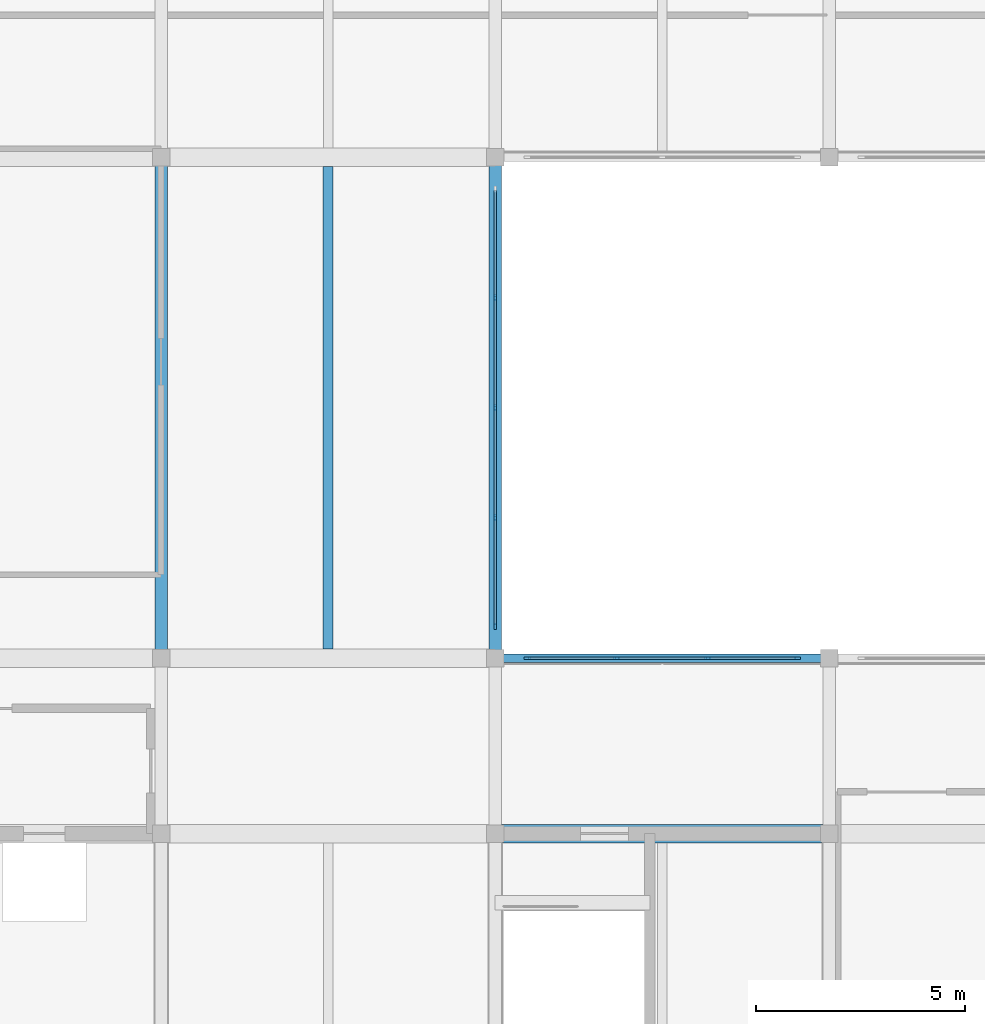
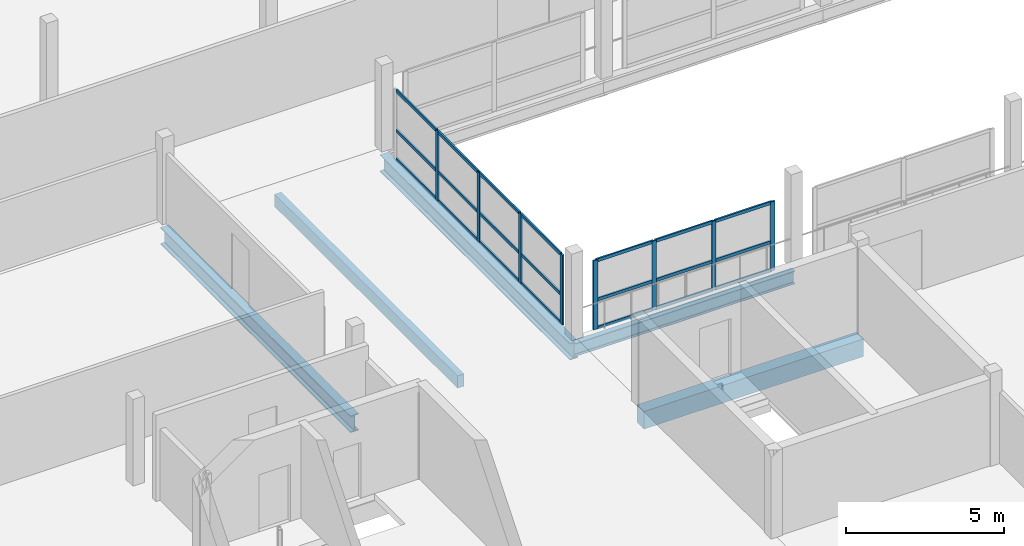
# One storey, part 19 of 51: 29 members, 5 beams, 2 elements without a shape of their own.
"""IFC4 building model written with IfcOpenShell, lengths in metres."""

from ifc_helpers import new_model, si_unit, direction, frame, origin, origin_2d, place, context, subcontext, project, spatial, rectangle, i_section, extrude, material, material_profile, profile_set, type_object, element, aggregate, save


model = new_model("IFC4")

# Units and contexts
model_context = context("Model", 3, precision=1e-05, world=origin(), true_north=direction((0.0, 1.0)))
body_context = subcontext(model_context, "Body", "Model", "MODEL_VIEW")
ifc_project = project(units=[si_unit("LENGTHUNIT", "METRE"), si_unit("AREAUNIT", "SQUARE_METRE"), si_unit("VOLUMEUNIT", "CUBIC_METRE"), si_unit("PLANEANGLEUNIT", "RADIAN"), si_unit("MASSUNIT", "GRAM", prefix="KILO")], contexts=[model_context])

# Site, building, storey
site_placement = place(None, origin())
site = spatial("IfcSite", under=ifc_project, at=site_placement, CompositionType="ELEMENT")
building_placement = place(site_placement, origin())
building = spatial("IfcBuilding", under=site, at=building_placement, Name="Vharandega Faculty of Natural Sciences", CompositionType="ELEMENT")
storey_placement = place(building_placement, frame((0.0, 0.0, 14.39990234375)))
storey = spatial("IfcBuildingStorey", under=building, at=storey_placement, Name="L03", CompositionType="ELEMENT", Elevation=14.39990234375)

# Curtain wall, members
ifc_material_1 = material(Name="Aluminium and solar-control glass curtain wall", Category="aluminium")
curtain_wall_type_1 = type_object("IfcCurtainWallType", Name="Unitised Curtain Wall System CW-18", PredefinedType="NOTDEFINED", material=ifc_material_1)
curtain_wall_1_placement = place(storey_placement, origin())
curtain_wall_1 = element("IfcCurtainWall", 1, at=curtain_wall_1_placement, inside=storey, type_object=curtain_wall_type_1, Name="Curtain Wall CW-L03-073", PredefinedType="NOTDEFINED")
ifc_material_2 = material(Name="Thermally broken aluminium 6063-T6", Category="aluminium")
ifc_material_profile_1 = material_profile(ifc_material_2, rectangle(XDim=0.06005859375, YDim=0.159912109375, at=origin_2d()), Name="ALU 60x160")
ifc_profile_set_1 = profile_set([ifc_material_profile_1], Name="Thermally broken aluminium 6063-T6")
member_type_1 = type_object("IfcMemberType", Name="CW Mullion 60x160", PredefinedType="MULLION", material=ifc_profile_set_1)
member_1_placement = place(storey_placement, frame((24.0, 85.77001953125, 0.0), z_axis=(0.0, 0.0, 1.0), x_axis=(-1.0, 0.0, 0.0)))
member_1 = element("IfcMember", 2, at=member_1_placement, type_object=member_type_1, Name="CW-18 mullion 1", PredefinedType="MULLION", context=body_context, shape_type="SweptSolid", body=[
    extrude(rectangle(XDim=0.06005859375, YDim=0.159912109375, at=origin_2d()), origin(), (0.0, 0.0, 1.0), 2.690185546875),
])
member_2_placement = place(storey_placement, frame((24.0, 88.3701171875, 0.0), z_axis=(0.0, 0.0, 1.0), x_axis=(-1.0, 0.0, 0.0)))
member_2 = element("IfcMember", 3, at=member_2_placement, type_object=member_type_1, Name="CW-18 mullion 2", PredefinedType="MULLION", context=body_context, shape_type="SweptSolid", body=[
    extrude(rectangle(XDim=0.06005859375, YDim=0.159912109375, at=origin_2d()), origin(), (0.0, 0.0, 1.0), 2.690185546875),
])
member_3_placement = place(storey_placement, frame((24.0, 91.0, 0.0), z_axis=(0.0, 0.0, 1.0), x_axis=(-1.0, 0.0, 0.0)))
member_3 = element("IfcMember", 4, at=member_3_placement, type_object=member_type_1, Name="CW-18 mullion 3", PredefinedType="MULLION", context=body_context, shape_type="SweptSolid", body=[
    extrude(rectangle(XDim=0.06005859375, YDim=0.159912109375, at=origin_2d()), origin(), (0.0, 0.0, 1.0), 2.690185546875),
])
member_4_placement = place(storey_placement, frame((24.0, 93.6298828125, 0.0), z_axis=(0.0, 0.0, 1.0), x_axis=(-1.0, 0.0, 0.0)))
member_4 = element("IfcMember", 5, at=member_4_placement, type_object=member_type_1, Name="CW-18 mullion 4", PredefinedType="MULLION", context=body_context, shape_type="SweptSolid", body=[
    extrude(rectangle(XDim=0.06005859375, YDim=0.159912109375, at=origin_2d()), origin(), (0.0, 0.0, 1.0), 2.690185546875),
])

ifc_material_3 = material(Name="Aluminium and solar-control glass curtain wall", Category="aluminium")
curtain_wall_type_2 = type_object("IfcCurtainWallType", Name="Unitised Curtain Wall System CW-11", PredefinedType="NOTDEFINED", material=ifc_material_3)
curtain_wall_2_placement = place(storey_placement, origin())
curtain_wall_2 = element("IfcCurtainWall", 6, at=curtain_wall_2_placement, inside=storey, type_object=curtain_wall_type_2, Name="Curtain Wall CW-L03-094", PredefinedType="NOTDEFINED")
member_5_placement = place(storey_placement, frame((24.77001953125, 85.0, 0.0), z_axis=(0.0, 0.0, 1.0), x_axis=(0.0, 1.0, 0.0)))
member_5 = element("IfcMember", 7, at=member_5_placement, type_object=member_type_1, Name="CW-11 mullion 1", PredefinedType="MULLION", context=body_context, shape_type="SweptSolid", body=[
    extrude(rectangle(XDim=0.06005859375, YDim=0.159912109375, at=origin_2d()), origin(), (0.0, 0.0, 1.0), 2.66015625),
])
member_6_placement = place(storey_placement, frame((26.913330078125, 85.0, 0.0), z_axis=(0.0, 0.0, 1.0), x_axis=(0.0, 1.0, 0.0)))
member_6 = element("IfcMember", 8, at=member_6_placement, type_object=member_type_1, Name="CW-11 mullion 2", PredefinedType="MULLION", context=body_context, shape_type="SweptSolid", body=[
    extrude(rectangle(XDim=0.06005859375, YDim=0.159912109375, at=origin_2d()), origin(), (0.0, 0.0, 1.0), 2.66015625),
])
member_7_placement = place(storey_placement, frame((29.086669921875, 85.0, 0.0), z_axis=(0.0, 0.0, 1.0), x_axis=(0.0, 1.0, 0.0)))
member_7 = element("IfcMember", 9, at=member_7_placement, type_object=member_type_1, Name="CW-11 mullion 3", PredefinedType="MULLION", context=body_context, shape_type="SweptSolid", body=[
    extrude(rectangle(XDim=0.06005859375, YDim=0.159912109375, at=origin_2d()), origin(), (0.0, 0.0, 1.0), 2.66015625),
])
member_8_placement = place(storey_placement, frame((31.22998046875, 85.0, 0.0), z_axis=(0.0, 0.0, 1.0), x_axis=(0.0, 1.0, 0.0)))
member_8 = element("IfcMember", 10, at=member_8_placement, type_object=member_type_1, Name="CW-11 mullion 4", PredefinedType="MULLION", context=body_context, shape_type="SweptSolid", body=[
    extrude(rectangle(XDim=0.06005859375, YDim=0.159912109375, at=origin_2d()), origin(), (0.0, 0.0, 1.0), 2.66015625),
])

# Member
ifc_material_4 = material(Name="Thermally broken aluminium 6063-T6", Category="aluminium")
ifc_material_profile_2 = material_profile(ifc_material_4, rectangle(XDim=0.06005859375, YDim=0.1201171875, at=origin_2d()), Name="ALU 60x120")
ifc_profile_set_2 = profile_set([ifc_material_profile_2], Name="Thermally broken aluminium 6063-T6")
member_type_2 = type_object("IfcMemberType", Name="CW Transom 60x120", PredefinedType="USERDEFINED", material=ifc_profile_set_2)
member_9_placement = place(storey_placement, frame((24.0, 85.800048828125, 0.030029296875), z_axis=(0.0, 1.0, 0.0), x_axis=(-1.0, 0.0, 0.0)))
member_9 = element("IfcMember", 11, at=member_9_placement, type_object=member_type_2, Name="CW-18 transom 1.1", ObjectType="TRANSOM", PredefinedType="USERDEFINED", context=body_context, shape_type="SweptSolid", body=[
    extrude(rectangle(XDim=0.06005859375, YDim=0.1201171875, at=origin_2d()), origin(), (0.0, 0.0, 1.0), 2.5400390625),
])

member_10_placement = place(storey_placement, frame((24.0, 85.800048828125, 1.1298828125), z_axis=(0.0, 1.0, 0.0), x_axis=(-1.0, 0.0, 0.0)))
member_10 = element("IfcMember", 12, at=member_10_placement, type_object=member_type_2, Name="CW-18 transom 1.2", ObjectType="TRANSOM", PredefinedType="USERDEFINED", context=body_context, shape_type="SweptSolid", body=[
    extrude(rectangle(XDim=0.06005859375, YDim=0.1201171875, at=origin_2d()), origin(), (0.0, 0.0, 1.0), 2.5400390625),
])

member_11_placement = place(storey_placement, frame((24.0, 85.800048828125, 2.66015625), z_axis=(0.0, 1.0, 0.0), x_axis=(-1.0, 0.0, 0.0)))
member_11 = element("IfcMember", 13, at=member_11_placement, type_object=member_type_2, Name="CW-18 transom 1.3", ObjectType="TRANSOM", PredefinedType="USERDEFINED", context=body_context, shape_type="SweptSolid", body=[
    extrude(rectangle(XDim=0.06005859375, YDim=0.1201171875, at=origin_2d()), origin(), (0.0, 0.0, 1.0), 2.5400390625),
])

member_12_placement = place(storey_placement, frame((24.0, 88.39990234375, 0.030029296875), z_axis=(0.0, 1.0, 0.0), x_axis=(-1.0, 0.0, 0.0)))
member_12 = element("IfcMember", 14, at=member_12_placement, type_object=member_type_2, Name="CW-18 transom 2.1", ObjectType="TRANSOM", PredefinedType="USERDEFINED", context=body_context, shape_type="SweptSolid", body=[
    extrude(rectangle(XDim=0.06005859375, YDim=0.1201171875, at=origin_2d()), origin(), (0.0, 0.0, 1.0), 2.570068359375),
])

member_13_placement = place(storey_placement, frame((24.0, 88.39990234375, 1.1298828125), z_axis=(0.0, 1.0, 0.0), x_axis=(-1.0, 0.0, 0.0)))
member_13 = element("IfcMember", 15, at=member_13_placement, type_object=member_type_2, Name="CW-18 transom 2.2", ObjectType="TRANSOM", PredefinedType="USERDEFINED", context=body_context, shape_type="SweptSolid", body=[
    extrude(rectangle(XDim=0.06005859375, YDim=0.1201171875, at=origin_2d()), origin(), (0.0, 0.0, 1.0), 2.570068359375),
])

member_14_placement = place(storey_placement, frame((24.0, 88.39990234375, 2.66015625), z_axis=(0.0, 1.0, 0.0), x_axis=(-1.0, 0.0, 0.0)))
member_14 = element("IfcMember", 16, at=member_14_placement, type_object=member_type_2, Name="CW-18 transom 2.3", ObjectType="TRANSOM", PredefinedType="USERDEFINED", context=body_context, shape_type="SweptSolid", body=[
    extrude(rectangle(XDim=0.06005859375, YDim=0.1201171875, at=origin_2d()), origin(), (0.0, 0.0, 1.0), 2.570068359375),
])

member_15_placement = place(storey_placement, frame((24.0, 91.030029296875, 0.030029296875), z_axis=(0.0, 1.0, 0.0), x_axis=(-1.0, 0.0, 0.0)))
member_15 = element("IfcMember", 17, at=member_15_placement, type_object=member_type_2, Name="CW-18 transom 3.1", ObjectType="TRANSOM", PredefinedType="USERDEFINED", context=body_context, shape_type="SweptSolid", body=[
    extrude(rectangle(XDim=0.06005859375, YDim=0.1201171875, at=origin_2d()), origin(), (0.0, 0.0, 1.0), 2.570068359375),
])

member_16_placement = place(storey_placement, frame((24.0, 91.030029296875, 1.1298828125), z_axis=(0.0, 1.0, 0.0), x_axis=(-1.0, 0.0, 0.0)))
member_16 = element("IfcMember", 18, at=member_16_placement, type_object=member_type_2, Name="CW-18 transom 3.2", ObjectType="TRANSOM", PredefinedType="USERDEFINED", context=body_context, shape_type="SweptSolid", body=[
    extrude(rectangle(XDim=0.06005859375, YDim=0.1201171875, at=origin_2d()), origin(), (0.0, 0.0, 1.0), 2.570068359375),
])

member_17_placement = place(storey_placement, frame((24.0, 91.030029296875, 2.66015625), z_axis=(0.0, 1.0, 0.0), x_axis=(-1.0, 0.0, 0.0)))
member_17 = element("IfcMember", 19, at=member_17_placement, type_object=member_type_2, Name="CW-18 transom 3.3", ObjectType="TRANSOM", PredefinedType="USERDEFINED", context=body_context, shape_type="SweptSolid", body=[
    extrude(rectangle(XDim=0.06005859375, YDim=0.1201171875, at=origin_2d()), origin(), (0.0, 0.0, 1.0), 2.570068359375),
])

member_18_placement = place(storey_placement, frame((24.0, 93.659912109375, 0.030029296875), z_axis=(0.0, 1.0, 0.0), x_axis=(-1.0, 0.0, 0.0)))
member_18 = element("IfcMember", 20, at=member_18_placement, type_object=member_type_2, Name="CW-18 transom 4.1", ObjectType="TRANSOM", PredefinedType="USERDEFINED", context=body_context, shape_type="SweptSolid", body=[
    extrude(rectangle(XDim=0.06005859375, YDim=0.1201171875, at=origin_2d()), origin(), (0.0, 0.0, 1.0), 2.5400390625),
])

member_19_placement = place(storey_placement, frame((24.0, 93.659912109375, 1.1298828125), z_axis=(0.0, 1.0, 0.0), x_axis=(-1.0, 0.0, 0.0)))
member_19 = element("IfcMember", 21, at=member_19_placement, type_object=member_type_2, Name="CW-18 transom 4.2", ObjectType="TRANSOM", PredefinedType="USERDEFINED", context=body_context, shape_type="SweptSolid", body=[
    extrude(rectangle(XDim=0.06005859375, YDim=0.1201171875, at=origin_2d()), origin(), (0.0, 0.0, 1.0), 2.5400390625),
])

member_20_placement = place(storey_placement, frame((24.0, 93.659912109375, 2.66015625), z_axis=(0.0, 1.0, 0.0), x_axis=(-1.0, 0.0, 0.0)))
member_20 = element("IfcMember", 22, at=member_20_placement, type_object=member_type_2, Name="CW-18 transom 4.3", ObjectType="TRANSOM", PredefinedType="USERDEFINED", context=body_context, shape_type="SweptSolid", body=[
    extrude(rectangle(XDim=0.06005859375, YDim=0.1201171875, at=origin_2d()), origin(), (0.0, 0.0, 1.0), 2.5400390625),
])

aggregate(curtain_wall_1, [member_1, member_2, member_3, member_4, member_9, member_10, member_11, member_12, member_13, member_14, member_15, member_16, member_17, member_18, member_19, member_20])

member_21_placement = place(storey_placement, frame((24.800048828125, 85.0, 0.030029296875), z_axis=(1.0, 0.0, 0.0), x_axis=(0.0, 1.0, 0.0)))
member_21 = element("IfcMember", 23, at=member_21_placement, type_object=member_type_2, Name="CW-11 transom 1.1", ObjectType="TRANSOM", PredefinedType="USERDEFINED", context=body_context, shape_type="SweptSolid", body=[
    extrude(rectangle(XDim=0.06005859375, YDim=0.1201171875, at=origin_2d()), origin(), (0.0, 0.0, 1.0), 2.083251953125),
])

member_22_placement = place(storey_placement, frame((24.800048828125, 85.0, 1.1171875), z_axis=(1.0, 0.0, 0.0), x_axis=(0.0, 1.0, 0.0)))
member_22 = element("IfcMember", 24, at=member_22_placement, type_object=member_type_2, Name="CW-11 transom 1.2", ObjectType="TRANSOM", PredefinedType="USERDEFINED", context=body_context, shape_type="SweptSolid", body=[
    extrude(rectangle(XDim=0.06005859375, YDim=0.1201171875, at=origin_2d()), origin(), (0.0, 0.0, 1.0), 2.083251953125),
])

member_23_placement = place(storey_placement, frame((24.800048828125, 85.0, 2.630126953125), z_axis=(1.0, 0.0, 0.0), x_axis=(0.0, 1.0, 0.0)))
member_23 = element("IfcMember", 25, at=member_23_placement, type_object=member_type_2, Name="CW-11 transom 1.3", ObjectType="TRANSOM", PredefinedType="USERDEFINED", context=body_context, shape_type="SweptSolid", body=[
    extrude(rectangle(XDim=0.06005859375, YDim=0.1201171875, at=origin_2d()), origin(), (0.0, 0.0, 1.0), 2.083251953125),
])

member_24_placement = place(storey_placement, frame((26.943359375, 85.0, 0.030029296875), z_axis=(1.0, 0.0, 0.0), x_axis=(0.0, 1.0, 0.0)))
member_24 = element("IfcMember", 26, at=member_24_placement, type_object=member_type_2, Name="CW-11 transom 2.1", ObjectType="TRANSOM", PredefinedType="USERDEFINED", context=body_context, shape_type="SweptSolid", body=[
    extrude(rectangle(XDim=0.06005859375, YDim=0.1201171875, at=origin_2d()), origin(), (0.0, 0.0, 1.0), 2.11328125),
])

member_25_placement = place(storey_placement, frame((26.943359375, 85.0, 1.1171875), z_axis=(1.0, 0.0, 0.0), x_axis=(0.0, 1.0, 0.0)))
member_25 = element("IfcMember", 27, at=member_25_placement, type_object=member_type_2, Name="CW-11 transom 2.2", ObjectType="TRANSOM", PredefinedType="USERDEFINED", context=body_context, shape_type="SweptSolid", body=[
    extrude(rectangle(XDim=0.06005859375, YDim=0.1201171875, at=origin_2d()), origin(), (0.0, 0.0, 1.0), 2.11328125),
])

member_26_placement = place(storey_placement, frame((26.943359375, 85.0, 2.630126953125), z_axis=(1.0, 0.0, 0.0), x_axis=(0.0, 1.0, 0.0)))
member_26 = element("IfcMember", 28, at=member_26_placement, type_object=member_type_2, Name="CW-11 transom 2.3", ObjectType="TRANSOM", PredefinedType="USERDEFINED", context=body_context, shape_type="SweptSolid", body=[
    extrude(rectangle(XDim=0.06005859375, YDim=0.1201171875, at=origin_2d()), origin(), (0.0, 0.0, 1.0), 2.11328125),
])

member_27_placement = place(storey_placement, frame((29.11669921875, 85.0, 0.030029296875), z_axis=(1.0, 0.0, 0.0), x_axis=(0.0, 1.0, 0.0)))
member_27 = element("IfcMember", 29, at=member_27_placement, type_object=member_type_2, Name="CW-11 transom 3.1", ObjectType="TRANSOM", PredefinedType="USERDEFINED", context=body_context, shape_type="SweptSolid", body=[
    extrude(rectangle(XDim=0.06005859375, YDim=0.1201171875, at=origin_2d()), origin(), (0.0, 0.0, 1.0), 2.083251953125),
])

member_28_placement = place(storey_placement, frame((29.11669921875, 85.0, 1.1171875), z_axis=(1.0, 0.0, 0.0), x_axis=(0.0, 1.0, 0.0)))
member_28 = element("IfcMember", 30, at=member_28_placement, type_object=member_type_2, Name="CW-11 transom 3.2", ObjectType="TRANSOM", PredefinedType="USERDEFINED", context=body_context, shape_type="SweptSolid", body=[
    extrude(rectangle(XDim=0.06005859375, YDim=0.1201171875, at=origin_2d()), origin(), (0.0, 0.0, 1.0), 2.083251953125),
])

member_29_placement = place(storey_placement, frame((29.11669921875, 85.0, 2.630126953125), z_axis=(1.0, 0.0, 0.0), x_axis=(0.0, 1.0, 0.0)))
member_29 = element("IfcMember", 31, at=member_29_placement, type_object=member_type_2, Name="CW-11 transom 3.3", ObjectType="TRANSOM", PredefinedType="USERDEFINED", context=body_context, shape_type="SweptSolid", body=[
    extrude(rectangle(XDim=0.06005859375, YDim=0.1201171875, at=origin_2d()), origin(), (0.0, 0.0, 1.0), 2.083251953125),
])

aggregate(curtain_wall_2, [member_5, member_6, member_7, member_8, member_21, member_22, member_23, member_24, member_25, member_26, member_27, member_28, member_29])

# Beams
ifc_material_5 = material(Name="Glulam GL32h", Category="wood")
ifc_material_profile_3 = material_profile(ifc_material_5, rectangle(XDim=0.43994140625, YDim=0.679931640625, at=origin_2d()), Name="GL32h 440x680")
ifc_profile_set_3 = profile_set([ifc_material_profile_3], Name="Glulam GL32h")
beam_type_1 = type_object("IfcBeamType", Name="Glulam Girder 440x680", PredefinedType="BEAM", material=ifc_profile_set_3)
beam_1_placement = place(storey_placement, frame((24.0, 80.800048828125, -0.579833984375), z_axis=(1.0, 0.0, 0.0), x_axis=(0.0, 1.0, 0.0)))
element("IfcBeam", 32, at=beam_1_placement, inside=storey, type_object=beam_type_1, Name="Beam L03 L/4-5", PredefinedType="BEAM", context=body_context, shape_type="SweptSolid", body=[
    extrude(rectangle(XDim=0.43994140625, YDim=0.679931640625, at=origin_2d()), origin(), (0.0, 0.0, 1.0), 8.0),
])
ifc_material_6 = material(Name="Glulam GL28h", Category="wood")
ifc_material_profile_4 = material_profile(ifc_material_6, rectangle(XDim=0.239990234375, YDim=0.47998046875, at=origin_2d()), Name="GL28h 240x480")
ifc_profile_set_4 = profile_set([ifc_material_profile_4], Name="Glulam GL28h")
beam_type_2 = type_object("IfcBeamType", Name="Glulam Secondary Joist 240x480", PredefinedType="JOIST", material=ifc_profile_set_4)
beam_2_placement = place(storey_placement, frame((20.0, 85.219970703125, -0.47998046875), z_axis=(0.0, 1.0, 0.0), x_axis=(-1.0, 0.0, 0.0)))
element("IfcBeam", 33, at=beam_2_placement, inside=storey, type_object=beam_type_2, Name="Secondary Joist L03 3-4/M-N", PredefinedType="JOIST", context=body_context, shape_type="SweptSolid", body=[
    extrude(rectangle(XDim=0.239990234375, YDim=0.47998046875, at=origin_2d()), origin(), (0.0, 0.0, 1.0), 11.56005859375),
])
ifc_material_7 = material(Name="Steel S355", Category="steel")
ifc_material_profile_5 = material_profile(ifc_material_7, i_section(OverallWidth=0.300048828125, OverallDepth=0.64990234375, WebThickness=0.01611328125, FlangeThickness=0.031005859375, FilletRadius=0.027099609375, at=origin_2d()), Name="HEB 650")
ifc_profile_set_5 = profile_set([ifc_material_profile_5], Name="Steel S355")
beam_type_3 = type_object("IfcBeamType", Name="Steel Collector Beam HEB 650", PredefinedType="BEAM", material=ifc_profile_set_5)
for number, where, z_axis, x_axis, name in (
    (34, (16.0, 85.0, -0.56494140625), (0.0, 1.0, 0.0), (-1.0, 0.0, 0.0), "Beam L03 3/M-N"),
    (35, (24.0, 85.0, -0.56494140625), (0.0, 1.0, 0.0), (-1.0, 0.0, 0.0), "Beam L03 4/M-N"),
):
    element("IfcBeam", number, at=place(storey_placement, frame(where, z_axis=z_axis, x_axis=x_axis)), inside=storey, type_object=beam_type_3, Name=name, PredefinedType="BEAM", context=body_context, shape_type="SweptSolid", body=[
        extrude(i_section(OverallWidth=0.300048828125, OverallDepth=0.64990234375, WebThickness=0.01611328125, FlangeThickness=0.031005859375, FilletRadius=0.027099609375, at=origin_2d()), origin(), (0.0, 0.0, 1.0), 12.0),
    ])
ifc_material_8 = material(Name="Steel S355", Category="steel")
ifc_material_profile_6 = material_profile(ifc_material_8, i_section(OverallWidth=0.199951171875, OverallDepth=0.5, WebThickness=0.01025390625, FlangeThickness=0.01611328125, FilletRadius=0.02099609375, at=origin_2d()), Name="IPE 500")
ifc_profile_set_6 = profile_set([ifc_material_profile_6], Name="Steel S355")
beam_type_4 = type_object("IfcBeamType", Name="Steel Spandrel Beam IPE 500", PredefinedType="SPANDREL", material=ifc_profile_set_6)
beam_3_placement = place(storey_placement, frame((24.0, 85.0, -0.489990234375), z_axis=(1.0, 0.0, 0.0), x_axis=(0.0, 1.0, 0.0)))
element("IfcBeam", 36, at=beam_3_placement, inside=storey, type_object=beam_type_4, Name="Beam L03 M/4-5", PredefinedType="SPANDREL", context=body_context, shape_type="SweptSolid", body=[
    extrude(i_section(OverallWidth=0.199951171875, OverallDepth=0.5, WebThickness=0.01025390625, FlangeThickness=0.01611328125, FilletRadius=0.02099609375, at=origin_2d()), origin(), (0.0, 0.0, 1.0), 8.0),
])

save(model, "model.ifc")
